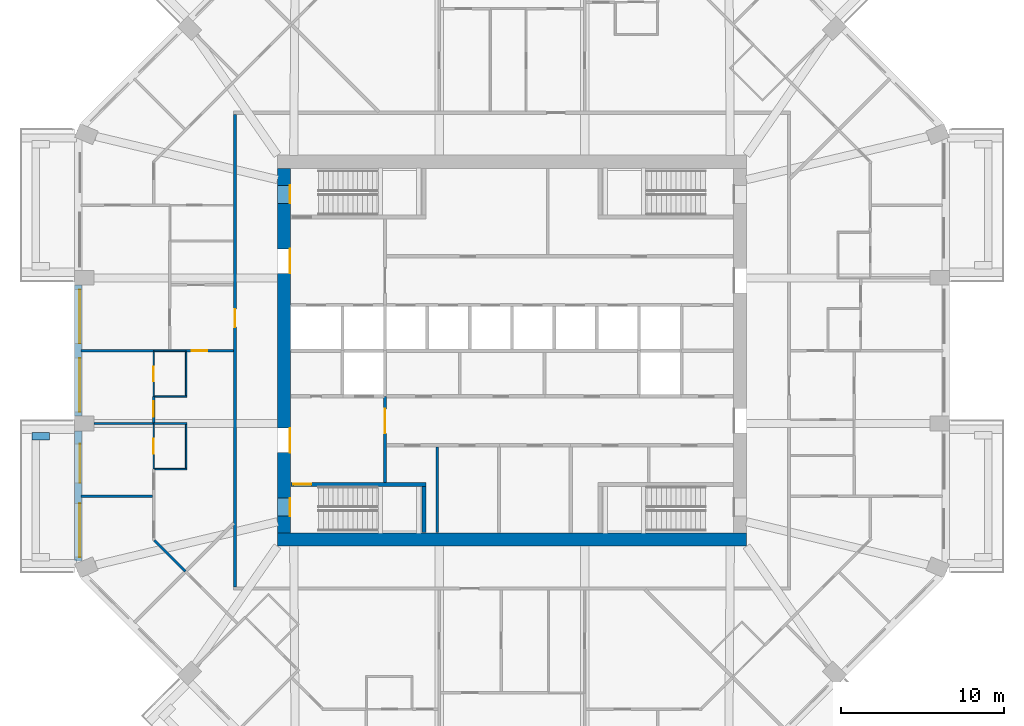
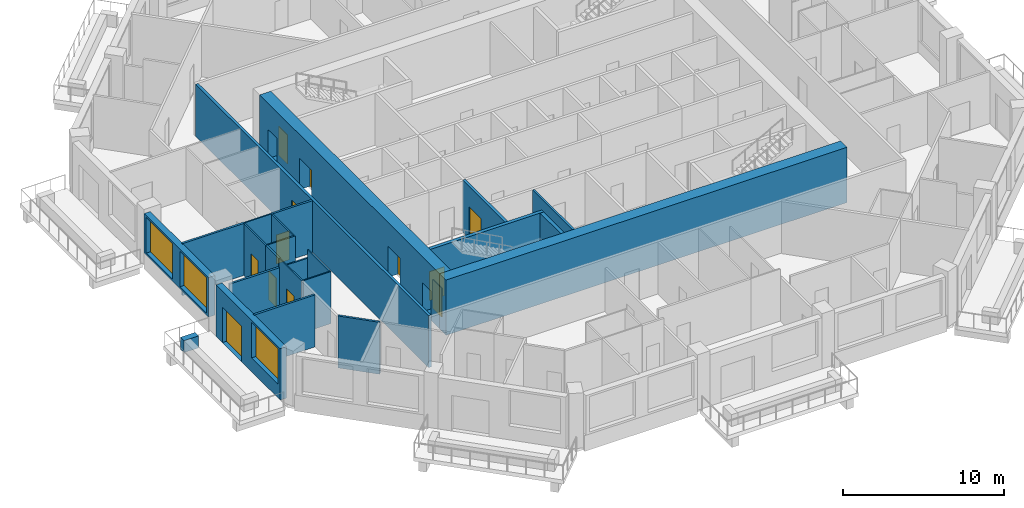
# One storey, part 4 of 13: 24 walls, 12 doors, 3 windows, 15 openings.
"""IFC4 building model written with IfcOpenShell, lengths in metres."""

import ifcopenshell
import ifcopenshell.guid

model = None  # the IFC model being written
_history = None  # IfcOwnerHistory: only IFC2X3 demands one
_inside = {}  # id of a spatial element -> (the spatial element, [elements in it])
_under = {}  # id of a project, library or spatial element -> (it, [spatial elements below it])
_declared = {}  # id of a project -> (the project, [libraries it declares])
_typed = {}  # id of a type object -> (the type object, [elements of that type])
_made_of = {}  # id of a material, layer set ... -> (it, [elements and type objects made of it])


def new_model(schema):
    """Start an empty IFC model of exactly this schema.

    Asked for "IFC4X3", IfcOpenShell would pick the latest addendum, in which some entities
    have other attributes; the version numbers below select the first issue.
    IFC2X3 requires an IfcOwnerHistory on every rooted entity: one is made here for all.
    """
    global model, _history
    if schema == "IFC4X3":
        model = ifcopenshell.file(schema_version=(4, 3, 0, 0))
    else:
        model = ifcopenshell.file(schema=schema)
    _inside.clear()
    _under.clear()
    _declared.clear()
    _typed.clear()
    _made_of.clear()
    _history = None
    if model.schema == "IFC2X3":
        org = make("IfcOrganization", Name="unknown")
        user = make(
            "IfcPersonAndOrganization",
            ThePerson=make("IfcPerson", FamilyName="unknown"),
            TheOrganization=org,
        )
        app = make(
            "IfcApplication",
            ApplicationDeveloper=org,
            Version="unknown",
            ApplicationFullName="unknown",
            ApplicationIdentifier="unknown",
        )
        _history = make(
            "IfcOwnerHistory",
            OwningUser=user,
            OwningApplication=app,
            ChangeAction="ADDED",
            CreationDate=0,
        )
    return model


def make(cls, **values):
    """One entity of the class cls with the attributes given. An attribute that is None is left unset."""
    return model.create_entity(
        cls, **{name: value for name, value in values.items() if value is not None}
    )


def rooted(cls, **values):
    """An entity with a GlobalId (a new one), such as an element, a storey or a relation."""
    return make(cls, GlobalId=ifcopenshell.guid.new(), OwnerHistory=_history, **values)


def si_unit(unit_type, name, prefix=None):
    """IfcSIUnit, for example si_unit("LENGTHUNIT", "METRE", prefix="MILLI")."""
    return make("IfcSIUnit", UnitType=unit_type, Prefix=prefix, Name=name)


def assignment(units):
    """IfcUnitAssignment: the units of a project."""
    return None if units is None else make("IfcUnitAssignment", Units=units)


def point(xyz):
    """IfcCartesianPoint."""
    return None if xyz is None else make("IfcCartesianPoint", Coordinates=xyz)


def direction(xyz):
    """IfcDirection."""
    return None if xyz is None else make("IfcDirection", DirectionRatios=xyz)


def frame(location, z_axis=None, x_axis=None):
    """IfcAxis2Placement3D, a coordinate frame: its origin and axes. An axis left out is left unset."""
    return make(
        "IfcAxis2Placement3D",
        Location=point(location),
        Axis=direction(z_axis),
        RefDirection=direction(x_axis),
    )


def frame_2d(location, x_axis=None):
    """IfcAxis2Placement2D, a coordinate frame in the plane: its origin and x axis."""
    return make(
        "IfcAxis2Placement2D", Location=point(location), RefDirection=direction(x_axis)
    )


def origin():
    """The frame at (0, 0, 0) with its axes left unset."""
    return frame((0.0, 0.0, 0.0))


def place(relative_to, where):
    """IfcLocalPlacement: puts the frame where relative to a parent placement (None: the world)."""
    return make(
        "IfcLocalPlacement", PlacementRelTo=relative_to, RelativePlacement=where
    )


def context(
    kind, dimensions, precision=None, world=None, true_north=None, identifier=None
):
    """IfcGeometricRepresentationContext, for example the 3D "Model" context."""
    return make(
        "IfcGeometricRepresentationContext",
        ContextIdentifier=identifier,
        ContextType=kind,
        CoordinateSpaceDimension=dimensions,
        Precision=precision,
        WorldCoordinateSystem=world,
        TrueNorth=true_north,
    )


def subcontext(parent, identifier, kind, view, scale=None):
    """IfcGeometricRepresentationSubContext, for example "Body" below "Model"."""
    return make(
        "IfcGeometricRepresentationSubContext",
        ContextIdentifier=identifier,
        ContextType=kind,
        ParentContext=parent,
        TargetScale=scale,
        TargetView=view,
    )


def project(units=None, contexts=None):
    """IfcProject with its units and contexts."""
    return rooted(
        "IfcProject",
        Name="project",
        RepresentationContexts=contexts,
        UnitsInContext=assignment(units),
    )


def spatial(cls, under=None, at=None, **own):
    """A site, building, storey or space (cls), placed at a placement, below another one or the project."""
    s = rooted(cls, ObjectPlacement=at, **own)
    if under is not None:
        _under.setdefault(under.id(), (under, []))[1].append(s)
    return s


def profile(cls, at=None, kind="AREA", **sizes):
    """A parametric profile (cls). Its sizes go by their IFC names, for example OverallWidth=200.0."""
    return make(cls, ProfileType=kind, Position=at, **sizes)


def rectangle(**sizes):
    """IfcRectangleProfileDef."""
    return profile("IfcRectangleProfileDef", **sizes)


def extrude(swept, where, along, depth):
    """IfcExtrudedAreaSolid: the profile swept, set in the frame where, extruded along a direction by depth."""
    return make(
        "IfcExtrudedAreaSolid",
        SweptArea=swept,
        Position=where,
        ExtrudedDirection=direction(along),
        Depth=depth,
    )


def shape(context_of_items, identifier, shape_type, items):
    """IfcShapeRepresentation: the items that make up one representation, for example the "Body"."""
    return make(
        "IfcShapeRepresentation",
        ContextOfItems=context_of_items,
        RepresentationIdentifier=identifier,
        RepresentationType=shape_type,
        Items=items,
    )


def material(Name=None, Category=None):
    """IfcMaterial."""
    return make("IfcMaterial", Name=Name, Category=Category)


def layer(
    of_material, thickness, ventilated=None, Name=None, Category=None, Priority=None
):
    """IfcMaterialLayer: one layer of a wall or slab, of a material (None: an air gap)."""
    return make(
        "IfcMaterialLayer",
        Material=of_material,
        LayerThickness=thickness,
        IsVentilated=ventilated,
        Name=Name,
        Category=Category,
        Priority=Priority,
    )


def layer_set(layers, Name=None):
    """IfcMaterialLayerSet."""
    return make("IfcMaterialLayerSet", MaterialLayers=layers, LayerSetName=Name)


def made_of(thing, what):
    """Note that an element or type object is made of a material, layer set ...; save() writes the relation."""
    if what is not None:
        _made_of.setdefault(what.id(), (what, []))[1].append(thing)
    return thing


def type_object(cls, material=None, **own):
    """A type object (cls), such as IfcWallType, which elements share."""
    return made_of(rooted(cls, **own), material)


def element(
    cls,
    number,
    at=None,
    inside=None,
    cuts=None,
    type_object=None,
    material=None,
    context=None,
    identifier="Body",
    shape_type=None,
    held_by="IfcProductDefinitionShape",
    body=None,
    shapes=None,
    **own,
):
    """One element of the class cls, such as IfcWall. Its Tag is "e" and its number.

    at: its placement. inside: the storey or other place that contains it. cuts: it is an
    opening in that element (IfcRelVoidsElement). A single representation is given by context,
    identifier, shape_type and body (its items); several are given by shapes. held_by: the class
    of the entity that holds the representations. save() writes the other relations.
    """
    e = rooted(cls, Tag="e%d" % number, ObjectPlacement=at, **own)
    if body is not None:
        shapes = [shape(context, identifier, shape_type, body)]
    if shapes is not None:
        e.Representation = make(held_by, Representations=shapes)
    if inside is not None:
        _inside.setdefault(inside.id(), (inside, []))[1].append(e)
    if cuts is not None:
        rooted(
            "IfcRelVoidsElement", RelatingBuildingElement=cuts, RelatedOpeningElement=e
        )
    if type_object is not None:
        _typed.setdefault(type_object.id(), (type_object, []))[1].append(e)
    return made_of(e, material)


def fill(opening, filler):
    """IfcRelFillsElement: the door or window that sits in an opening."""
    return rooted(
        "IfcRelFillsElement",
        RelatingOpeningElement=opening,
        RelatedBuildingElement=filler,
    )


def aggregate(whole, parts):
    """IfcRelAggregates: a whole, such as a stair, and the parts it consists of."""
    return rooted("IfcRelAggregates", RelatingObject=whole, RelatedObjects=parts)


def save(model, path):
    """Write the relations noted so far, then the file.

    IfcRelAggregates (storeys below a building ...), IfcRelContainedInSpatialStructure (elements
    in a storey), IfcRelDefinesByType, IfcRelAssociatesMaterial and IfcRelDeclares: one each for
    every whole, place, type object, material and project.
    """
    for whole, parts in _under.values():
        aggregate(whole, parts)
    for where, things in _inside.values():
        rooted(
            "IfcRelContainedInSpatialStructure",
            RelatedElements=things,
            RelatingStructure=where,
        )
    for kind, things in _typed.values():
        rooted("IfcRelDefinesByType", RelatedObjects=things, RelatingType=kind)
    for what, things in _made_of.values():
        rooted("IfcRelAssociatesMaterial", RelatedObjects=things, RelatingMaterial=what)
    for by, libraries in _declared.values():
        rooted("IfcRelDeclares", RelatingContext=by, RelatedDefinitions=libraries)
    model.write(path)


model = new_model("IFC4")

# Units and contexts
model_context = context("Model", 3, precision=1e-05, world=origin(), true_north=direction((0.0, 1.0)))
body_context = subcontext(model_context, "Body", "Model", "MODEL_VIEW")
ifc_project = project(units=[si_unit("LENGTHUNIT", "METRE"), si_unit("AREAUNIT", "SQUARE_METRE"), si_unit("VOLUMEUNIT", "CUBIC_METRE"), si_unit("PLANEANGLEUNIT", "RADIAN"), si_unit("MASSUNIT", "GRAM", prefix="KILO")], contexts=[model_context])

# Site, building, storey
site_placement = place(None, origin())
site = spatial("IfcSite", under=ifc_project, at=site_placement, CompositionType="ELEMENT")
building_placement = place(site_placement, origin())
building = spatial("IfcBuilding", under=site, at=building_placement, Name="Msitu Wima Residences", CompositionType="ELEMENT")
storey_placement = place(building_placement, frame((0.0, 0.0, 131.699951171875)))
storey = spatial("IfcBuildingStorey", under=building, at=storey_placement, Name="L30", CompositionType="ELEMENT", Elevation=131.699951171875)

# Wall
ifc_material_1 = material(Name="Facing brick")
ifc_layer_1 = layer(ifc_material_1, 0.06494140625, Name="Facing brick")
ifc_material_2 = material(Name="Concrete C40/50", Category="concrete")
ifc_layer_2 = layer(ifc_material_2, 0.156005859375, Name="Concrete C40/50")
ifc_material_3 = material(Name="Waterproofing membrane")
ifc_layer_3 = layer(ifc_material_3, 0.00390625, Name="Waterproofing membrane")
ifc_material_4 = material(Name="Planting soil and planting")
ifc_layer_4 = layer(ifc_material_4, 0.22509765625, Name="Planting soil and planting")
ifc_layer_set_1 = layer_set([ifc_layer_1, ifc_layer_2, ifc_layer_3, ifc_layer_4], Name="Concrete C40/50")
wall_type_1 = type_object("IfcWallType", Name="Balcony planter PLANTER PL450", PredefinedType="USERDEFINED", material=ifc_layer_set_1)
wall_1_placement = place(storey_placement, frame((-28.39990234375, -5.24365234375, 0.0), z_axis=(0.0, 0.0, 1.0), x_axis=(-1.0, 0.0, 0.0)))
element("IfcWall", 1, at=wall_1_placement, inside=storey, type_object=wall_type_1, Name="Balcony planter W2 L30", ObjectType="PLANTER", PredefinedType="USERDEFINED", context=body_context, shape_type="SweptSolid", body=[
    extrude(rectangle(XDim=1.050048828125, YDim=0.449951171875, at=frame_2d((0.52490234375, 0.0))), origin(), (0.0, 0.0, 1.0), 0.900146484375),
])

# Wall, openings, windows
ifc_material_5 = material(Name="Brick (red buff mix)", Category="masonry")
ifc_layer_5 = layer(ifc_material_5, 0.449951171875)
ifc_layer_set_2 = layer_set([ifc_layer_5], Name="Brick (red buff mix)")
wall_type_2 = type_object("IfcWallType", Name="Brick infill wall BW450", PredefinedType="SOLIDWALL", material=ifc_layer_set_2)
wall_2_placement = place(storey_placement, frame((-26.625, 4.0185546875, 0.900146484375), z_axis=(0.0, 0.0, 1.0), x_axis=(0.0, -1.0, 0.0)))
wall_2 = element("IfcWall", 2, at=wall_2_placement, inside=storey, type_object=wall_type_2, Name="Brick infill wall L30 W1", PredefinedType="SOLIDWALL", context=body_context, shape_type="SweptSolid", body=[
    extrude(rectangle(XDim=8.037109375, YDim=0.449951171875, at=frame_2d((4.0185546875, 0.0))), origin(), (0.0, 0.0, 1.0), 3.0),
])
opening_1_placement = place(wall_2_placement, frame((0.2685546875, 0.0, 0.14990234375)))
opening_1 = element("IfcOpeningElement", 3, at=opening_1_placement, cuts=wall_2, Name="Opening W30-32.028", PredefinedType="OPENING", context=body_context, shape_type="SweptSolid", body=[
    extrude(rectangle(XDim=3.300048828125, YDim=2.699951171875, at=frame_2d((1.64990234375, 1.35009765625))), frame((0.0, 0.23486328125, 0.0), z_axis=(0.0, -1.0, 0.0), x_axis=(1.0, 0.0, 0.0)), (0.0, 0.0, 1.0), 0.469970703125),
])
opening_2_placement = place(wall_2_placement, frame((4.46875, 0.0, 0.14990234375)))
opening_2 = element("IfcOpeningElement", 4, at=opening_2_placement, cuts=wall_2, Name="Opening W30-32.029", PredefinedType="OPENING", context=body_context, shape_type="SweptSolid", body=[
    extrude(rectangle(XDim=3.300048828125, YDim=2.699951171875, at=frame_2d((1.64990234375, 1.35009765625))), frame((0.0, 0.23486328125, 0.0), z_axis=(0.0, -1.0, 0.0), x_axis=(1.0, 0.0, 0.0)), (0.0, 0.0, 1.0), 0.469970703125),
])
ifc_material_6 = material(Name="Anodised aluminium, bronze finish, clear low-emissivity double glazing", Category="aluminium")
window_type = type_object("IfcWindowType", Name="Window W3300x2700", PartitioningType="DOUBLE_PANEL_VERTICAL", PredefinedType="WINDOW", material=ifc_material_6)
window_1_placement = place(opening_1_placement, origin())
window_1 = element("IfcWindow", 5, at=window_1_placement, inside=storey, type_object=window_type, Name="Window L30 W1.1", OverallHeight=2.699951171875, OverallWidth=3.300048828125, PartitioningType="SINGLE_PANEL", PredefinedType="WINDOW", context=body_context, shape_type="SweptSolid", body=[
    extrude(rectangle(XDim=3.300048828125, YDim=2.699951171875, at=frame_2d((1.64990234375, 1.35009765625))), frame((0.0, 0.135009765625, 0.0), z_axis=(0.0, -1.0, 0.0), x_axis=(1.0, 0.0, 0.0)), (0.0, 0.0, 1.0), 0.06005859375),
])
fill(opening_1, window_1)
window_2_placement = place(opening_2_placement, origin())
window_2 = element("IfcWindow", 6, at=window_2_placement, inside=storey, type_object=window_type, Name="Window L30 W1.2", OverallHeight=2.699951171875, OverallWidth=3.300048828125, PartitioningType="SINGLE_PANEL", PredefinedType="WINDOW", context=body_context, shape_type="SweptSolid", body=[
    extrude(rectangle(XDim=3.300048828125, YDim=2.699951171875, at=frame_2d((1.64990234375, 1.35009765625))), frame((0.0, 0.135009765625, 0.0), z_axis=(0.0, -1.0, 0.0), x_axis=(1.0, 0.0, 0.0)), (0.0, 0.0, 1.0), 0.06005859375),
])
fill(opening_2, window_2)

# Wall, openings, door, window
wall_3_placement = place(storey_placement, frame((-26.625, -4.918701171875, 0.0), z_axis=(0.0, 0.0, 1.0), x_axis=(0.0, -1.0, 0.0)))
wall_3 = element("IfcWall", 7, at=wall_3_placement, inside=storey, type_object=wall_type_2, Name="Brick infill wall L30 W2", PredefinedType="SOLIDWALL", context=body_context, shape_type="SweptSolid", body=[
    extrude(rectangle(XDim=8.0, YDim=0.449951171875, at=frame_2d((4.0, 0.0))), origin(), (0.0, 0.0, 1.0), 3.900146484375),
])
opening_3_placement = place(wall_3_placement, frame((0.800048828125, 0.0, 0.0)))
opening_3 = element("IfcOpeningElement", 8, at=opening_3_placement, cuts=wall_3, Name="Opening D30-32.010", PredefinedType="OPENING", context=body_context, shape_type="SweptSolid", body=[
    extrude(rectangle(XDim=2.39990234375, YDim=2.699951171875, at=frame_2d((1.199951171875, 1.35009765625))), frame((0.0, 0.23486328125, 0.0), z_axis=(0.0, -1.0, 0.0), x_axis=(1.0, 0.0, 0.0)), (0.0, 0.0, 1.0), 0.469970703125),
])
opening_4_placement = place(wall_3_placement, frame((4.4501953125, 0.0, 1.050048828125)))
opening_4 = element("IfcOpeningElement", 9, at=opening_4_placement, cuts=wall_3, Name="Opening W30-32.030", PredefinedType="OPENING", context=body_context, shape_type="SweptSolid", body=[
    extrude(rectangle(XDim=3.300048828125, YDim=2.699951171875, at=frame_2d((1.64990234375, 1.35009765625))), frame((0.0, 0.23486328125, 0.0), z_axis=(0.0, -1.0, 0.0), x_axis=(1.0, 0.0, 0.0)), (0.0, 0.0, 1.0), 0.469970703125),
])
door_type_1 = type_object("IfcDoorType", Name="Balcony door D2400x2700", OperationType="SLIDING_TO_LEFT", PredefinedType="DOOR", material=ifc_material_6)
door_1_placement = place(opening_3_placement, origin())
door_1 = element("IfcDoor", 10, at=door_1_placement, inside=storey, type_object=door_type_1, Name="Balcony door L30 W2", OperationType="SINGLE_SWING_LEFT", OverallHeight=2.699951171875, OverallWidth=2.39990234375, PredefinedType="DOOR", context=body_context, shape_type="SweptSolid", body=[
    extrude(rectangle(XDim=2.39990234375, YDim=2.699951171875, at=frame_2d((1.199951171875, 1.35009765625))), frame((0.0, 0.1298828125, 0.0), z_axis=(0.0, -1.0, 0.0), x_axis=(1.0, 0.0, 0.0)), (0.0, 0.0, 1.0), 0.050048828125),
])
fill(opening_3, door_1)
window_3_placement = place(opening_4_placement, origin())
window_3 = element("IfcWindow", 11, at=window_3_placement, inside=storey, type_object=window_type, Name="Window L30 W2.2", OverallHeight=2.699951171875, OverallWidth=3.300048828125, PartitioningType="SINGLE_PANEL", PredefinedType="WINDOW", context=body_context, shape_type="SweptSolid", body=[
    extrude(rectangle(XDim=3.300048828125, YDim=2.699951171875, at=frame_2d((1.64990234375, 1.35009765625))), frame((0.0, 0.135009765625, 0.0), z_axis=(0.0, -1.0, 0.0), x_axis=(1.0, 0.0, 0.0)), (0.0, 0.0, 1.0), 0.06005859375),
])
fill(opening_4, window_3)

# Wall
ifc_material_7 = material(Name="Concrete C70/85", Category="concrete")
ifc_layer_6 = layer(ifc_material_7, 0.800048828125)
ifc_layer_set_3 = layer_set([ifc_layer_6], Name="Concrete C70/85")
wall_type_3 = type_object("IfcWallType", Name="Core wall CW800 C70/85", PredefinedType="SHEAR", material=ifc_layer_set_3)
wall_4_placement = place(storey_placement, frame((-14.39990234375, -11.60009765625, 0.0), z_axis=(0.0, 0.0, 1.0), x_axis=(1.0, 0.0, 0.0)))
element("IfcWall", 12, at=wall_4_placement, inside=storey, type_object=wall_type_3, Name="Core wall", PredefinedType="SHEAR", context=body_context, shape_type="SweptSolid", body=[
    extrude(rectangle(XDim=28.7998046875, YDim=0.800048828125, at=frame_2d((14.39990234375, 0.0))), origin(), (0.0, 0.0, 1.0), 4.199951171875),
])

# Wall, openings, doors
wall_5_placement = place(storey_placement, frame((-14.0, -11.199951171875, 0.0), z_axis=(0.0, 0.0, 1.0), x_axis=(0.0, 1.0, 0.0)))
wall_5 = element("IfcWall", 13, at=wall_5_placement, inside=storey, type_object=wall_type_3, Name="Core wall", PredefinedType="SHEAR", context=body_context, shape_type="SweptSolid", body=[
    extrude(rectangle(XDim=22.39990234375, YDim=0.800048828125, at=frame_2d((11.199951171875, 0.0))), origin(), (0.0, 0.0, 1.0), 4.199951171875),
])
opening_5_placement = place(wall_5_placement, frame((20.25, 0.0, 0.0)))
opening_5 = element("IfcOpeningElement", 14, at=opening_5_placement, cuts=wall_5, Name="Opening D30-32.034", PredefinedType="OPENING", context=body_context, shape_type="SweptSolid", body=[
    extrude(rectangle(XDim=1.10009765625, YDim=2.199951171875, at=frame_2d((0.550048828125, 1.10009765625))), frame((0.0, 0.409912109375, 0.0), z_axis=(0.0, -1.0, 0.0), x_axis=(1.0, 0.0, 0.0)), (0.0, 0.0, 1.0), 0.820068359375),
])
opening_6_placement = place(wall_5_placement, frame((1.050048828125, 0.0, 0.0)))
opening_6 = element("IfcOpeningElement", 15, at=opening_6_placement, cuts=wall_5, Name="Opening D30-32.036", PredefinedType="OPENING", context=body_context, shape_type="SweptSolid", body=[
    extrude(rectangle(XDim=1.10009765625, YDim=2.199951171875, at=frame_2d((0.550048828125, 1.10009765625))), frame((0.0, 0.409912109375, 0.0), z_axis=(0.0, -1.0, 0.0), x_axis=(1.0, 0.0, 0.0)), (0.0, 0.0, 1.0), 0.820068359375),
])
opening_7_placement = place(wall_5_placement, frame((15.949951171875, 0.0, 0.0)))
opening_7 = element("IfcOpeningElement", 16, at=opening_7_placement, cuts=wall_5, Name="Opening D30-32.016", PredefinedType="OPENING", context=body_context, shape_type="SweptSolid", body=[
    extrude(rectangle(XDim=1.5, YDim=2.39990234375, at=frame_2d((0.75, 1.199951171875))), frame((0.0, 0.409912109375, 0.0), z_axis=(0.0, -1.0, 0.0), x_axis=(1.0, 0.0, 0.0)), (0.0, 0.0, 1.0), 0.820068359375),
])
opening_8_placement = place(wall_5_placement, frame((4.949951171875, 0.0, 0.0)))
opening_8 = element("IfcOpeningElement", 17, at=opening_8_placement, cuts=wall_5, Name="Opening D30-32.018", PredefinedType="OPENING", context=body_context, shape_type="SweptSolid", body=[
    extrude(rectangle(XDim=1.5, YDim=2.39990234375, at=frame_2d((0.75, 1.199951171875))), frame((0.0, 0.409912109375, 0.0), z_axis=(0.0, -1.0, 0.0), x_axis=(1.0, 0.0, 0.0)), (0.0, 0.0, 1.0), 0.820068359375),
])
ifc_material_8 = material(Name="Steel framed glazed door, fire resisting", Category="steel")
door_type_2 = type_object("IfcDoorType", Name="Lobby door D07 1500x2400", OperationType="DOUBLE_DOOR_SINGLE_SWING", PredefinedType="DOOR", material=ifc_material_8)
door_2_placement = place(opening_7_placement, origin())
door_2 = element("IfcDoor", 18, at=door_2_placement, inside=storey, type_object=door_type_2, Name="Lobby door", OperationType="DOUBLE_DOOR_SINGLE_SWING", OverallHeight=2.39990234375, OverallWidth=1.5, PredefinedType="DOOR", context=body_context, shape_type="SweptSolid", body=[
    extrude(rectangle(XDim=1.5, YDim=2.39990234375, at=frame_2d((0.75, 1.199951171875))), frame((0.0, -0.34521484375, 0.0), z_axis=(0.0, -1.0, 0.0), x_axis=(1.0, 0.0, 0.0)), (0.0, 0.0, 1.0), 0.050048828125),
])
fill(opening_7, door_2)
door_3_placement = place(opening_8_placement, origin())
door_3 = element("IfcDoor", 19, at=door_3_placement, inside=storey, type_object=door_type_2, Name="Lobby door", OperationType="DOUBLE_DOOR_SINGLE_SWING", OverallHeight=2.39990234375, OverallWidth=1.5, PredefinedType="DOOR", context=body_context, shape_type="SweptSolid", body=[
    extrude(rectangle(XDim=1.5, YDim=2.39990234375, at=frame_2d((0.75, 1.199951171875))), frame((0.0, -0.34521484375, 0.0), z_axis=(0.0, -1.0, 0.0), x_axis=(1.0, 0.0, 0.0)), (0.0, 0.0, 1.0), 0.050048828125),
])
fill(opening_8, door_3)
ifc_material_9 = material(Name="Steel door, fire resisting, panic bar", Category="steel")
door_type_3 = type_object("IfcDoorType", Name="Stair door D06 1100x2200", OperationType="SINGLE_SWING_LEFT", PredefinedType="DOOR", material=ifc_material_9)
door_4_placement = place(opening_5_placement, origin())
door_4 = element("IfcDoor", 20, at=door_4_placement, inside=storey, type_object=door_type_3, Name="Stair door", OperationType="SINGLE_SWING_RIGHT", OverallHeight=2.199951171875, OverallWidth=1.10009765625, PredefinedType="DOOR", context=body_context, shape_type="SweptSolid", body=[
    extrude(rectangle(XDim=1.10009765625, YDim=2.199951171875, at=frame_2d((0.550048828125, 1.10009765625))), frame((0.0, -0.34521484375, 0.0), z_axis=(0.0, -1.0, 0.0), x_axis=(1.0, 0.0, 0.0)), (0.0, 0.0, 1.0), 0.050048828125),
])
fill(opening_5, door_4)
door_5_placement = place(opening_6_placement, origin())
door_5 = element("IfcDoor", 21, at=door_5_placement, inside=storey, type_object=door_type_3, Name="Stair door", OperationType="SINGLE_SWING_LEFT", OverallHeight=2.199951171875, OverallWidth=1.10009765625, PredefinedType="DOOR", context=body_context, shape_type="SweptSolid", body=[
    extrude(rectangle(XDim=1.10009765625, YDim=2.199951171875, at=frame_2d((0.550048828125, 1.10009765625))), frame((0.0, -0.34521484375, 0.0), z_axis=(0.0, -1.0, 0.0), x_axis=(1.0, 0.0, 0.0)), (0.0, 0.0, 1.0), 0.050048828125),
])
fill(opening_6, door_5)

# Wall, opening, door
ifc_material_10 = material(Name="Plaster")
ifc_layer_7 = layer(ifc_material_10, 0.011962890625, Name="Plaster")
ifc_material_11 = material(Name="Concrete blockwork", Category="masonry")
ifc_layer_8 = layer(ifc_material_11, 0.176025390625, Name="Concrete blockwork")
ifc_layer_9 = layer(ifc_material_10, 0.011962890625, Name="Plaster")
ifc_layer_set_4 = layer_set([ifc_layer_7, ifc_layer_8, ifc_layer_9], Name="Concrete blockwork")
wall_type_4 = type_object("IfcWallType", Name="Corridor wall FW200", PredefinedType="PARTITIONING", material=ifc_layer_set_4)
wall_6_placement = place(storey_placement, frame((-17.0, -14.5, 0.0), z_axis=(0.0, 0.0, 1.0), x_axis=(0.0, 1.0, 0.0)))
wall_6 = element("IfcWall", 22, at=wall_6_placement, inside=storey, type_object=wall_type_4, Name="Corridor wall", PredefinedType="PARTITIONING", context=body_context, shape_type="SweptSolid", body=[
    extrude(rectangle(XDim=29.0, YDim=0.199951171875, at=frame_2d((14.5, 0.0))), origin(), (0.0, 0.0, 1.0), 3.949951171875),
])
opening_9_placement = place(wall_6_placement, frame((15.949951171875, 0.0, 0.0)))
opening_9 = element("IfcOpeningElement", 23, at=opening_9_placement, cuts=wall_6, Name="Opening D30-32.012", PredefinedType="OPENING", context=body_context, shape_type="SweptSolid", body=[
    extrude(rectangle(XDim=1.10009765625, YDim=2.39990234375, at=frame_2d((0.550048828125, 1.199951171875))), frame((0.0, 0.10986328125, 0.0), z_axis=(0.0, -1.0, 0.0), x_axis=(1.0, 0.0, 0.0)), (0.0, 0.0, 1.0), 0.219970703125),
])
ifc_material_12 = material(Name="Timber flush door, fire resisting, self-closing", Category="wood")
door_type_4 = type_object("IfcDoorType", Name="Flat entrance door D01 1100x2400", OperationType="SINGLE_SWING_LEFT", PredefinedType="DOOR", material=ifc_material_12)
door_6_placement = place(opening_9_placement, origin())
door_6 = element("IfcDoor", 24, at=door_6_placement, inside=storey, type_object=door_type_4, Name="Flat entrance door", OperationType="SINGLE_SWING_LEFT", OverallHeight=2.39990234375, OverallWidth=1.10009765625, PredefinedType="DOOR", context=body_context, shape_type="SweptSolid", body=[
    extrude(rectangle(XDim=1.10009765625, YDim=2.39990234375, at=frame_2d((0.550048828125, 1.199951171875))), frame((0.0, 0.02490234375, 0.0), z_axis=(0.0, -1.0, 0.0), x_axis=(1.0, 0.0, 0.0)), (0.0, 0.0, 1.0), 0.050048828125),
])
fill(opening_9, door_6)

wall_7_placement = place(storey_placement, frame((-7.800048828125, -8.074951171875, 0.0), z_axis=(0.0, 0.0, 1.0), x_axis=(0.0, 1.0, 0.0)))
wall_7 = element("IfcWall", 25, at=wall_7_placement, inside=storey, type_object=wall_type_4, Name="Corridor wall", PredefinedType="PARTITIONING", context=body_context, shape_type="SweptSolid", body=[
    extrude(rectangle(XDim=5.27490234375, YDim=0.199951171875, at=frame_2d((2.637451171875, 0.0))), origin(), (0.0, 0.0, 1.0), 3.949951171875),
])
opening_10_placement = place(wall_7_placement, frame((3.0, 0.0, 0.0)))
opening_10 = element("IfcOpeningElement", 26, at=opening_10_placement, cuts=wall_7, Name="Opening D30-32.019", PredefinedType="OPENING", context=body_context, shape_type="SweptSolid", body=[
    extrude(rectangle(XDim=1.5, YDim=2.39990234375, at=frame_2d((0.75, 1.199951171875))), frame((0.0, 0.10986328125, 0.0), z_axis=(0.0, -1.0, 0.0), x_axis=(1.0, 0.0, 0.0)), (0.0, 0.0, 1.0), 0.219970703125),
])
door_7_placement = place(opening_10_placement, origin())
door_7 = element("IfcDoor", 27, at=door_7_placement, inside=storey, type_object=door_type_2, Name="Lobby door", OperationType="DOUBLE_DOOR_SINGLE_SWING", OverallHeight=2.39990234375, OverallWidth=1.5, PredefinedType="DOOR", context=body_context, shape_type="SweptSolid", body=[
    extrude(rectangle(XDim=1.5, YDim=2.39990234375, at=frame_2d((0.75, 1.199951171875))), frame((0.0, 0.02490234375, 0.0), z_axis=(0.0, -1.0, 0.0), x_axis=(1.0, 0.0, 0.0)), (0.0, 0.0, 1.0), 0.050048828125),
])
fill(opening_10, door_7)

# Walls
ifc_layer_10 = layer(ifc_material_10, 0.011962890625, Name="Plaster")
ifc_layer_11 = layer(ifc_material_11, 0.1259765625, Name="Concrete blockwork")
ifc_layer_12 = layer(ifc_material_10, 0.011962890625, Name="Plaster")
ifc_layer_set_5 = layer_set([ifc_layer_10, ifc_layer_11, ifc_layer_12], Name="Concrete blockwork")
wall_type_5 = type_object("IfcWallType", Name="Partition PW150", PredefinedType="PARTITIONING", material=ifc_layer_set_5)
wall_8_placement = place(storey_placement, frame((-26.455078125, -8.937255859375, 0.0), z_axis=(0.0, 0.0, 1.0), x_axis=(1.0, 0.0, 0.0)))
element("IfcWall", 28, at=wall_8_placement, inside=storey, type_object=wall_type_5, Name="Partition", PredefinedType="PARTITIONING", context=body_context, shape_type="SweptSolid", body=[
    extrude(rectangle(XDim=4.380126953125, YDim=0.14990234375, at=frame_2d((2.18994140625, 0.0))), origin(), (0.0, 0.0, 1.0), 3.949951171875),
])
wall_9_placement = place(storey_placement, frame((-25.64990234375, -4.46875, 0.0), z_axis=(0.0, 0.0, 1.0), x_axis=(1.0, 0.0, 0.0)))
element("IfcWall", 29, at=wall_9_placement, inside=storey, type_object=wall_type_5, Name="Partition", PredefinedType="PARTITIONING", context=body_context, shape_type="SweptSolid", body=[
    extrude(rectangle(XDim=3.669921875, YDim=0.14990234375, at=frame_2d((1.8349609375, 0.0))), origin(), (0.0, 0.0, 1.0), 3.300048828125),
])
wall_10_placement = place(storey_placement, frame((-26.455078125, 0.0, 0.0), z_axis=(0.0, 0.0, 1.0), x_axis=(1.0, 0.0, 0.0)))
element("IfcWall", 30, at=wall_10_placement, inside=storey, type_object=wall_type_5, Name="Partition", PredefinedType="PARTITIONING", context=body_context, shape_type="SweptSolid", body=[
    extrude(rectangle(XDim=4.47509765625, YDim=0.14990234375, at=frame_2d((2.237548828125, 0.0))), origin(), (0.0, 0.0, 1.0), 3.949951171875),
])
wall_11_placement = place(storey_placement, frame((-21.947021484375, -11.636474609375, 0.0), z_axis=(0.0, 0.0, 1.0), x_axis=(0.707106781187, -0.707106781187, 0.0)))
element("IfcWall", 31, at=wall_11_placement, inside=storey, type_object=wall_type_5, Name="Partition", PredefinedType="PARTITIONING", context=body_context, shape_type="SweptSolid", body=[
    extrude(rectangle(XDim=2.696533203125, YDim=0.14990234375, at=frame_2d((1.34814453125, 0.0))), origin(), (0.0, 0.0, 1.0), 3.949951171875),
])

# Wall, opening, door
wall_12_placement = place(storey_placement, frame((-22.0, -4.44873046875, 0.0), z_axis=(0.0, 0.0, 1.0), x_axis=(0.0, 1.0, 0.0)))
wall_12 = element("IfcWall", 32, at=wall_12_placement, inside=storey, type_object=wall_type_5, Name="Partition", PredefinedType="PARTITIONING", context=body_context, shape_type="SweptSolid", body=[
    extrude(rectangle(XDim=1.628662109375, YDim=0.14990234375, at=frame_2d((0.814453125, 0.0))), origin(), (0.0, 0.0, 1.0), 3.949951171875),
])
opening_11_placement = place(wall_12_placement, frame((0.39990234375, 0.0, 0.0)))
opening_11 = element("IfcOpeningElement", 33, at=opening_11_placement, cuts=wall_12, Name="Opening D30-32.050", PredefinedType="OPENING", context=body_context, shape_type="SweptSolid", body=[
    extrude(rectangle(XDim=0.949951171875, YDim=2.199951171875, at=frame_2d((0.47509765625, 1.10009765625))), frame((0.0, 0.0849609375, 0.0), z_axis=(0.0, -1.0, 0.0), x_axis=(1.0, 0.0, 0.0)), (0.0, 0.0, 1.0), 0.169921875),
])
ifc_material_13 = material(Name="Timber flush door", Category="wood")
door_type_5 = type_object("IfcDoorType", Name="Room door D12 950x2200", OperationType="SINGLE_SWING_LEFT", PredefinedType="DOOR", material=ifc_material_13)
door_8_placement = place(opening_11_placement, origin())
door_8 = element("IfcDoor", 34, at=door_8_placement, inside=storey, type_object=door_type_5, Name="Room door", OperationType="SINGLE_SWING_LEFT", OverallHeight=2.199951171875, OverallWidth=0.949951171875, PredefinedType="DOOR", context=body_context, shape_type="SweptSolid", body=[
    extrude(rectangle(XDim=0.949951171875, YDim=2.199951171875, at=frame_2d((0.47509765625, 1.10009765625))), frame((0.0, 0.02490234375, 0.0), z_axis=(0.0, -1.0, 0.0), x_axis=(1.0, 0.0, 0.0)), (0.0, 0.0, 1.0), 0.050048828125),
])
fill(opening_11, door_8)

wall_13_placement = place(storey_placement, frame((-20.02001953125, 0.0, 0.0), z_axis=(0.0, 0.0, 1.0), x_axis=(1.0, 0.0, 0.0)))
wall_13 = element("IfcWall", 35, at=wall_13_placement, inside=storey, type_object=wall_type_5, Name="Partition", PredefinedType="PARTITIONING", context=body_context, shape_type="SweptSolid", body=[
    extrude(rectangle(XDim=2.919921875, YDim=0.14990234375, at=frame_2d((1.4599609375, 0.0))), origin(), (0.0, 0.0, 1.0), 3.949951171875),
])
opening_12_placement = place(wall_13_placement, frame((0.35009765625, 0.0, 0.0)))
opening_12 = element("IfcOpeningElement", 36, at=opening_12_placement, cuts=wall_13, Name="Opening D30-32.047", PredefinedType="OPENING", context=body_context, shape_type="SweptSolid", body=[
    extrude(rectangle(XDim=0.949951171875, YDim=2.199951171875, at=frame_2d((0.47509765625, 1.10009765625))), frame((0.0, 0.0849609375, 0.0), z_axis=(0.0, -1.0, 0.0), x_axis=(1.0, 0.0, 0.0)), (0.0, 0.0, 1.0), 0.169921875),
])
door_9_placement = place(opening_12_placement, origin())
door_9 = element("IfcDoor", 37, at=door_9_placement, inside=storey, type_object=door_type_5, Name="Room door", OperationType="SINGLE_SWING_RIGHT", OverallHeight=2.199951171875, OverallWidth=0.949951171875, PredefinedType="DOOR", context=body_context, shape_type="SweptSolid", body=[
    extrude(rectangle(XDim=0.949951171875, YDim=2.199951171875, at=frame_2d((0.47509765625, 1.10009765625))), frame((0.0, 0.02490234375, 0.0), z_axis=(0.0, -1.0, 0.0), x_axis=(1.0, 0.0, 0.0)), (0.0, 0.0, 1.0), 0.050048828125),
])
fill(opening_12, door_9)

# Wall
wall_14_placement = place(storey_placement, frame((-4.60009765625, -11.169921875, 0.0), z_axis=(0.0, 0.0, 1.0), x_axis=(0.0, 1.0, 0.0)))
element("IfcWall", 38, at=wall_14_placement, inside=storey, type_object=wall_type_5, Name="Partition", PredefinedType="PARTITIONING", context=body_context, shape_type="SweptSolid", body=[
    extrude(rectangle(XDim=5.27001953125, YDim=0.14990234375, at=frame_2d((2.635009765625, 0.0))), origin(), (0.0, 0.0, 1.0), 3.949951171875),
])

# Wall, opening, door
ifc_material_14 = material(Name="Concrete C50/60", Category="concrete")
ifc_layer_13 = layer(ifc_material_14, 0.25)
ifc_layer_set_6 = layer_set([ifc_layer_13], Name="Concrete C50/60")
wall_type_6 = type_object("IfcWallType", Name="Stair enclosure wall SW250", PredefinedType="SHEAR", material=ifc_layer_set_6)
wall_15_placement = place(storey_placement, frame((-13.570068359375, -8.199951171875, 0.0), z_axis=(0.0, 0.0, 1.0), x_axis=(1.0, 0.0, 0.0)))
wall_15 = element("IfcWall", 39, at=wall_15_placement, inside=storey, type_object=wall_type_6, Name="Stair enclosure wall", PredefinedType="SHEAR", context=body_context, shape_type="SweptSolid", body=[
    extrude(rectangle(XDim=8.295166015625, YDim=0.25, at=frame_2d((4.1474609375, 0.0))), origin(), (0.0, 0.0, 1.0), 3.949951171875),
])
opening_13_placement = place(wall_15_placement, frame((0.14990234375, 0.0, 0.0)))
opening_13 = element("IfcOpeningElement", 40, at=opening_13_placement, cuts=wall_15, Name="Opening D30-32.037", PredefinedType="OPENING", context=body_context, shape_type="SweptSolid", body=[
    extrude(rectangle(XDim=1.10009765625, YDim=2.199951171875, at=frame_2d((0.550048828125, 1.10009765625))), frame((0.0, 0.135009765625, 0.0), z_axis=(0.0, -1.0, 0.0), x_axis=(1.0, 0.0, 0.0)), (0.0, 0.0, 1.0), 0.27001953125),
])
door_10_placement = place(opening_13_placement, origin())
door_10 = element("IfcDoor", 41, at=door_10_placement, inside=storey, type_object=door_type_3, Name="Stair door", OperationType="SINGLE_SWING_RIGHT", OverallHeight=2.199951171875, OverallWidth=1.10009765625, PredefinedType="DOOR", context=body_context, shape_type="SweptSolid", body=[
    extrude(rectangle(XDim=1.10009765625, YDim=2.199951171875, at=frame_2d((0.550048828125, 1.10009765625))), frame((0.0, 0.02490234375, 0.0), z_axis=(0.0, -1.0, 0.0), x_axis=(1.0, 0.0, 0.0)), (0.0, 0.0, 1.0), 0.050048828125),
])
fill(opening_13, door_10)

# Walls
wall_16_placement = place(storey_placement, frame((-5.39990234375, -11.169921875, 0.0), z_axis=(0.0, 0.0, 1.0), x_axis=(0.0, 1.0, 0.0)))
element("IfcWall", 42, at=wall_16_placement, inside=storey, type_object=wall_type_6, Name="Stair enclosure wall", PredefinedType="SHEAR", context=body_context, shape_type="SweptSolid", body=[
    extrude(rectangle(XDim=2.844970703125, YDim=0.25, at=frame_2d((1.42236328125, 0.0))), origin(), (0.0, 0.0, 1.0), 3.949951171875),
])
ifc_material_15 = material(Name="Ceramic tiles")
ifc_layer_14 = layer(ifc_material_15, 0.008056640625, Name="Ceramic tiles")
ifc_material_16 = material(Name="Moisture-resistant board")
ifc_layer_15 = layer(ifc_material_16, 0.012451171875, Name="Moisture-resistant board")
ifc_material_17 = material(Name="Light-gauge stud framing with mineral wool")
ifc_layer_16 = layer(ifc_material_17, 0.06689453125, Name="Light-gauge stud framing with mineral wool")
ifc_layer_17 = layer(ifc_material_16, 0.012451171875, Name="Moisture-resistant board")
ifc_layer_set_7 = layer_set([ifc_layer_14, ifc_layer_15, ifc_layer_16, ifc_layer_17], Name="Light-gauge stud framing with mineral wool")
wall_type_7 = type_object("IfcWallType", Name="Wet wall PW100", PredefinedType="PARTITIONING", material=ifc_layer_set_7)
wall_17_placement = place(storey_placement, frame((-21.97998046875, -4.46875, 0.0), z_axis=(0.0, 0.0, 1.0), x_axis=(1.0, 0.0, 0.0)))
element("IfcWall", 43, at=wall_17_placement, inside=storey, type_object=wall_type_7, Name="Wet wall", PredefinedType="PARTITIONING", context=body_context, shape_type="SweptSolid", body=[
    extrude(rectangle(XDim=2.030029296875, YDim=0.10009765625, at=frame_2d((1.01513671875, 0.0))), origin(), (0.0, 0.0, 1.0), 3.300048828125),
])
wall_18_placement = place(storey_placement, frame((-21.97998046875, 0.0, 0.0), z_axis=(0.0, 0.0, 1.0), x_axis=(1.0, 0.0, 0.0)))
element("IfcWall", 44, at=wall_18_placement, inside=storey, type_object=wall_type_7, Name="Wet wall", PredefinedType="PARTITIONING", context=body_context, shape_type="SweptSolid", body=[
    extrude(rectangle(XDim=1.9599609375, YDim=0.10009765625, at=frame_2d((0.97998046875, 0.0))), origin(), (0.0, 0.0, 1.0), 3.949951171875),
])

# Wall, opening, door
wall_19_placement = place(storey_placement, frame((-22.0, -7.2685546875, 0.0), z_axis=(0.0, 0.0, 1.0), x_axis=(0.0, 1.0, 0.0)))
wall_19 = element("IfcWall", 45, at=wall_19_placement, inside=storey, type_object=wall_type_7, Name="Wet wall", PredefinedType="PARTITIONING", context=body_context, shape_type="SweptSolid", body=[
    extrude(rectangle(XDim=2.81982421875, YDim=0.10009765625, at=frame_2d((1.409912109375, 0.0))), origin(), (0.0, 0.0, 1.0), 3.949951171875),
])
opening_14_placement = place(wall_19_placement, frame((0.949951171875, 0.0, 0.0)))
opening_14 = element("IfcOpeningElement", 46, at=opening_14_placement, cuts=wall_19, Name="Opening D30-32.049", PredefinedType="OPENING", context=body_context, shape_type="SweptSolid", body=[
    extrude(rectangle(XDim=0.89990234375, YDim=2.199951171875, at=frame_2d((0.449951171875, 1.10009765625))), frame((0.0, 0.06005859375, 0.0), z_axis=(0.0, -1.0, 0.0), x_axis=(1.0, 0.0, 0.0)), (0.0, 0.0, 1.0), 0.1201171875),
])
ifc_material_18 = material(Name="Timber flush door, moisture resistant", Category="wood")
door_type_6 = type_object("IfcDoorType", Name="Bathroom door D03 900x2200", OperationType="SINGLE_SWING_LEFT", PredefinedType="DOOR", material=ifc_material_18)
door_11_placement = place(opening_14_placement, origin())
door_11 = element("IfcDoor", 47, at=door_11_placement, inside=storey, type_object=door_type_6, Name="Bathroom door", OperationType="SINGLE_SWING_RIGHT", OverallHeight=2.199951171875, OverallWidth=0.89990234375, PredefinedType="DOOR", context=body_context, shape_type="SweptSolid", body=[
    extrude(rectangle(XDim=0.89990234375, YDim=2.199951171875, at=frame_2d((0.449951171875, 1.10009765625))), frame((0.0, 0.02490234375, 0.0), z_axis=(0.0, -1.0, 0.0), x_axis=(1.0, 0.0, 0.0)), (0.0, 0.0, 1.0), 0.050048828125),
])
fill(opening_14, door_11)

# Wall
wall_20_placement = place(storey_placement, frame((-21.925048828125, -7.2685546875, 0.0), z_axis=(0.0, 0.0, 1.0), x_axis=(1.0, 0.0, 0.0)))
element("IfcWall", 48, at=wall_20_placement, inside=storey, type_object=wall_type_7, Name="Wet wall", PredefinedType="PARTITIONING", context=body_context, shape_type="SweptSolid", body=[
    extrude(rectangle(XDim=1.97509765625, YDim=0.10009765625, at=frame_2d((0.987548828125, 0.0))), origin(), (0.0, 0.0, 1.0), 3.949951171875),
])

# Wall, opening, door
wall_21_placement = place(storey_placement, frame((-22.0, -2.820068359375, 0.0), z_axis=(0.0, 0.0, 1.0), x_axis=(0.0, 1.0, 0.0)))
wall_21 = element("IfcWall", 49, at=wall_21_placement, inside=storey, type_object=wall_type_7, Name="Wet wall", PredefinedType="PARTITIONING", context=body_context, shape_type="SweptSolid", body=[
    extrude(rectangle(XDim=2.7451171875, YDim=0.10009765625, at=frame_2d((1.37255859375, 0.0))), origin(), (0.0, 0.0, 1.0), 3.949951171875),
])
opening_15_placement = place(wall_21_placement, frame((0.949951171875, 0.0, 0.0)))
opening_15 = element("IfcOpeningElement", 50, at=opening_15_placement, cuts=wall_21, Name="Opening D30-32.052", PredefinedType="OPENING", context=body_context, shape_type="SweptSolid", body=[
    extrude(rectangle(XDim=0.89990234375, YDim=2.199951171875, at=frame_2d((0.449951171875, 1.10009765625))), frame((0.0, 0.06005859375, 0.0), z_axis=(0.0, -1.0, 0.0), x_axis=(1.0, 0.0, 0.0)), (0.0, 0.0, 1.0), 0.1201171875),
])
door_12_placement = place(opening_15_placement, origin())
door_12 = element("IfcDoor", 51, at=door_12_placement, inside=storey, type_object=door_type_6, Name="Bathroom door", OperationType="SINGLE_SWING_RIGHT", OverallHeight=2.199951171875, OverallWidth=0.89990234375, PredefinedType="DOOR", context=body_context, shape_type="SweptSolid", body=[
    extrude(rectangle(XDim=0.89990234375, YDim=2.199951171875, at=frame_2d((0.449951171875, 1.10009765625))), frame((0.0, 0.02490234375, 0.0), z_axis=(0.0, -1.0, 0.0), x_axis=(1.0, 0.0, 0.0)), (0.0, 0.0, 1.0), 0.050048828125),
])
fill(opening_15, door_12)

# Walls
wall_22_placement = place(storey_placement, frame((-21.925048828125, -2.800048828125, 0.0), z_axis=(0.0, 0.0, 1.0), x_axis=(1.0, 0.0, 0.0)))
element("IfcWall", 52, at=wall_22_placement, inside=storey, type_object=wall_type_7, Name="Wet wall", PredefinedType="PARTITIONING", context=body_context, shape_type="SweptSolid", body=[
    extrude(rectangle(XDim=1.97509765625, YDim=0.10009765625, at=frame_2d((0.987548828125, 0.0))), origin(), (0.0, 0.0, 1.0), 3.949951171875),
])
wall_23_placement = place(storey_placement, frame((-20.0, -7.21875, 0.0), z_axis=(0.0, 0.0, 1.0), x_axis=(0.0, 1.0, 0.0)))
element("IfcWall", 53, at=wall_23_placement, inside=storey, type_object=wall_type_7, Name="Wet wall", PredefinedType="PARTITIONING", context=body_context, shape_type="SweptSolid", body=[
    extrude(rectangle(XDim=2.7001953125, YDim=0.10009765625, at=frame_2d((1.35009765625, 0.0))), origin(), (0.0, 0.0, 1.0), 3.949951171875),
])
wall_24_placement = place(storey_placement, frame((-20.0, -2.75, 0.0), z_axis=(0.0, 0.0, 1.0), x_axis=(0.0, 1.0, 0.0)))
element("IfcWall", 54, at=wall_24_placement, inside=storey, type_object=wall_type_7, Name="Wet wall", PredefinedType="PARTITIONING", context=body_context, shape_type="SweptSolid", body=[
    extrude(rectangle(XDim=2.675048828125, YDim=0.10009765625, at=frame_2d((1.33740234375, 0.0))), origin(), (0.0, 0.0, 1.0), 3.949951171875),
])

save(model, "model.ifc")
